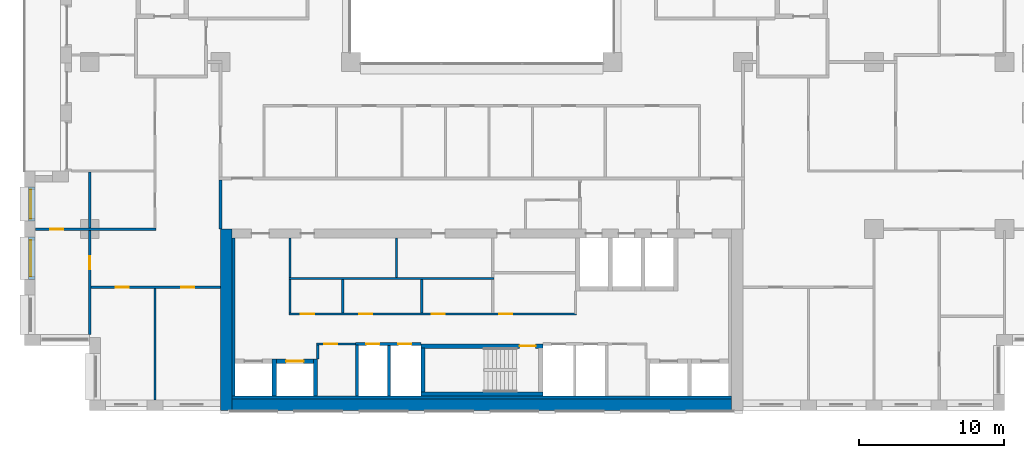
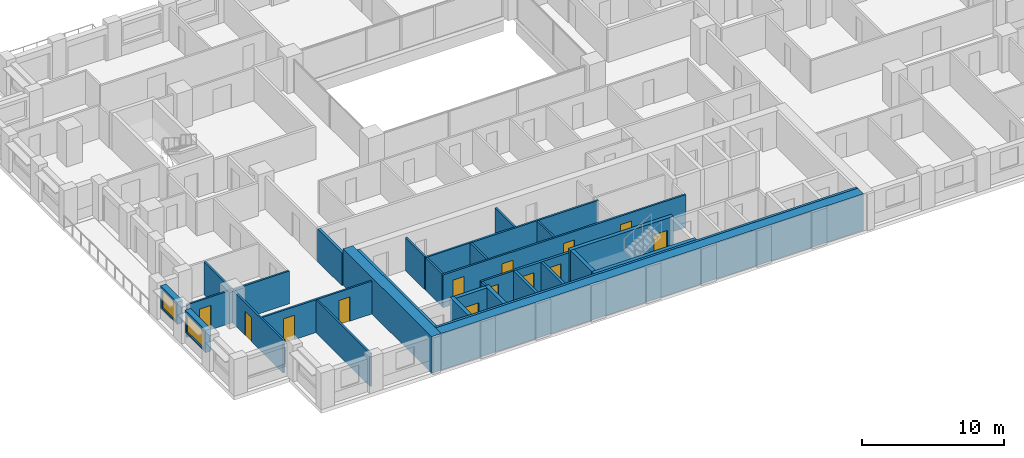
# One storey, part 8 of 16: 30 walls, 13 doors, 2 windows, 15 openings.
"""IFC4 building model written with IfcOpenShell, lengths in metres."""

from ifc_helpers import new_model, si_unit, direction, frame, frame_2d, origin, place, context, subcontext, project, spatial, rectangle, extrude, material, layer, layer_set, type_object, element, fill, save


model = new_model("IFC4")

# Units and contexts
model_context = context("Model", 3, precision=1e-05, world=origin(), true_north=direction((0.0, 1.0)))
body_context = subcontext(model_context, "Body", "Model", "MODEL_VIEW")
ifc_project = project(units=[si_unit("LENGTHUNIT", "METRE"), si_unit("AREAUNIT", "SQUARE_METRE"), si_unit("VOLUMEUNIT", "CUBIC_METRE"), si_unit("PLANEANGLEUNIT", "RADIAN"), si_unit("MASSUNIT", "GRAM", prefix="KILO")], contexts=[model_context])

# Site, building, storey
site_placement = place(None, origin())
site = spatial("IfcSite", under=ifc_project, at=site_placement, CompositionType="ELEMENT")
building_placement = place(site_placement, origin())
building = spatial("IfcBuilding", under=site, at=building_placement, Name="Brigalow Station Residences", CompositionType="ELEMENT")
storey_placement = place(building_placement, frame((0.0, 0.0, 105.60009765625)))
storey = spatial("IfcBuildingStorey", under=building, at=storey_placement, Name="L30", CompositionType="ELEMENT", Elevation=105.60009765625)

# Wall, opening, window
ifc_material_1 = material(Name="Clay brick masonry", Category="masonry")
ifc_layer_1 = layer(ifc_material_1, 0.449951171875)
ifc_layer_set_1 = layer_set([ifc_layer_1], Name="BRICK INFILL WALL 450")
wall_type_1 = type_object("IfcWallType", Name="BRICK INFILL WALL 450", PredefinedType="SOLIDWALL", material=ifc_layer_set_1)
wall_1_placement = place(storey_placement, frame((5.02490234375, 15.39990234375, 0.89990234375), z_axis=(0.0, 0.0, 1.0), x_axis=(0.0, -1.0, 0.0)))
wall_1 = element("IfcWall", 1, at=wall_1_placement, inside=storey, type_object=wall_type_1, Name="L30/ewall/W-L30-47", PredefinedType="SOLIDWALL", context=body_context, shape_type="SweptSolid", body=[
    extrude(rectangle(XDim=2.349853515625, YDim=0.449951171875, at=frame_2d((1.1748046875, 0.0))), origin(), (0.0, 0.0, 1.0), 1.929931640625),
])
opening_1_placement = place(wall_1_placement, frame((0.175048828125, 0.0, 0.14990234375)))
opening_1 = element("IfcOpeningElement", 2, at=opening_1_placement, cuts=wall_1, Name="Opening WT-7", PredefinedType="OPENING", context=body_context, shape_type="SweptSolid", body=[
    extrude(rectangle(XDim=2.0, YDim=1.5, at=frame_2d((1.0, 0.75))), frame((0.0, 0.23486328125, 0.0), z_axis=(0.0, -1.0, 0.0), x_axis=(1.0, 0.0, 0.0)), (0.0, 0.0, 1.0), 0.469970703125),
])
ifc_material_2 = material(Name="Anodised aluminium frame with double glazing", Category="aluminium")
window_type_1 = type_object("IfcWindowType", Name="WINDOW 2000x1500", PartitioningType="SINGLE_PANEL", PredefinedType="WINDOW", material=ifc_material_2)
window_1_placement = place(opening_1_placement, origin())
window_1 = element("IfcWindow", 3, at=window_1_placement, inside=storey, type_object=window_type_1, Name="L30/window/W-L30-47", OverallHeight=1.5, OverallWidth=2.0, PartitioningType="SINGLE_PANEL", PredefinedType="WINDOW", context=body_context, shape_type="SweptSolid", body=[
    extrude(rectangle(XDim=2.0, YDim=1.5, at=frame_2d((1.0, 0.75))), frame((0.0, -0.06494140625, 0.0), z_axis=(0.0, -1.0, 0.0), x_axis=(1.0, 0.0, 0.0)), (0.0, 0.0, 1.0), 0.06005859375),
])
fill(opening_1, window_1)

wall_2_placement = place(storey_placement, frame((5.02490234375, 11.949951171875, 0.89990234375), z_axis=(0.0, 0.0, 1.0), x_axis=(0.0, -1.0, 0.0)))
wall_2 = element("IfcWall", 4, at=wall_2_placement, inside=storey, type_object=wall_type_1, Name="L30/ewall/W-L30-48", PredefinedType="SOLIDWALL", context=body_context, shape_type="SweptSolid", body=[
    extrude(rectangle(XDim=2.89990234375, YDim=0.449951171875, at=frame_2d((1.449951171875, 0.0))), origin(), (0.0, 0.0, 1.0), 1.929931640625),
])
opening_2_placement = place(wall_2_placement, frame((0.199951171875, 0.0, 0.14990234375)))
opening_2 = element("IfcOpeningElement", 5, at=opening_2_placement, cuts=wall_2, Name="Opening WT-5", PredefinedType="OPENING", context=body_context, shape_type="SweptSolid", body=[
    extrude(rectangle(XDim=2.5, YDim=1.5, at=frame_2d((1.25, 0.75))), frame((0.0, 0.23486328125, 0.0), z_axis=(0.0, -1.0, 0.0), x_axis=(1.0, 0.0, 0.0)), (0.0, 0.0, 1.0), 0.469970703125),
])
ifc_material_3 = material(Name="Anodised aluminium frame with double glazing", Category="aluminium")
window_type_2 = type_object("IfcWindowType", Name="WINDOW 2500x1500", PartitioningType="SINGLE_PANEL", PredefinedType="WINDOW", material=ifc_material_3)
window_2_placement = place(opening_2_placement, origin())
window_2 = element("IfcWindow", 6, at=window_2_placement, inside=storey, type_object=window_type_2, Name="L30/window/W-L30-48", OverallHeight=1.5, OverallWidth=2.5, PartitioningType="SINGLE_PANEL", PredefinedType="WINDOW", context=body_context, shape_type="SweptSolid", body=[
    extrude(rectangle(XDim=2.5, YDim=1.5, at=frame_2d((1.25, 0.75))), frame((0.0, -0.06494140625, 0.0), z_axis=(0.0, -1.0, 0.0), x_axis=(1.0, 0.0, 0.0)), (0.0, 0.0, 1.0), 0.06005859375),
])
fill(opening_2, window_2)

# Walls
ifc_material_4 = material(Name="Concrete C65", Category="concrete")
ifc_layer_2 = layer(ifc_material_4, 0.199951171875)
ifc_layer_set_2 = layer_set([ifc_layer_2], Name="CORE SHEAR WALL 200 C65")
wall_type_2 = type_object("IfcWallType", Name="CORE SHEAR WALL 200 C65", PredefinedType="SHEAR", material=ifc_layer_set_2)
wall_3_placement = place(storey_placement, frame((18.89990234375, 1.0, 0.0), z_axis=(0.0, 0.0, 1.0), x_axis=(0.0, 1.0, 0.0)))
element("IfcWall", 7, at=wall_3_placement, inside=storey, type_object=wall_type_2, Name="CORE WALL LIN-W L30", PredefinedType="SHEAR", context=body_context, shape_type="SweptSolid", body=[
    extrude(rectangle(XDim=10.89990234375, YDim=0.199951171875, at=frame_2d((5.449951171875, 0.0))), origin(), (0.0, 0.0, 1.0), 3.14990234375),
])
wall_4_placement = place(storey_placement, frame((18.800048828125, 0.89990234375, 0.0), z_axis=(0.0, 0.0, 1.0), x_axis=(1.0, 0.0, 0.0)))
element("IfcWall", 8, at=wall_4_placement, inside=storey, type_object=wall_type_2, Name="CORE WALL LIN-S L30", PredefinedType="SHEAR", context=body_context, shape_type="SweptSolid", body=[
    extrude(rectangle(XDim=34.39990234375, YDim=0.199951171875, at=frame_2d((17.199951171875, 0.0))), origin(), (0.0, 0.0, 1.0), 3.14990234375),
])

# Wall, opening, door
ifc_material_5 = material(Name="Concrete C65", Category="concrete")
ifc_layer_3 = layer(ifc_material_5, 0.300048828125)
ifc_layer_set_3 = layer_set([ifc_layer_3], Name="CORE SHEAR WALL 300 C65")
wall_type_3 = type_object("IfcWallType", Name="CORE SHEAR WALL 300 C65", PredefinedType="SHEAR", material=ifc_layer_set_3)
wall_5_placement = place(storey_placement, frame((21.85009765625, 3.39990234375, 0.0), z_axis=(0.0, 0.0, 1.0), x_axis=(1.0, 0.0, 0.0)))
wall_5 = element("IfcWall", 9, at=wall_5_placement, inside=storey, type_object=wall_type_3, Name="CORE WALL SH-C2-N L30", PredefinedType="SHEAR", context=body_context, shape_type="SweptSolid", body=[
    extrude(rectangle(XDim=2.5498046875, YDim=0.300048828125, at=frame_2d((1.27490234375, 0.0))), origin(), (0.0, 0.0, 1.0), 3.14990234375),
])
opening_3_placement = place(wall_5_placement, frame((0.675048828125, 0.0, 0.0)))
opening_3 = element("IfcOpeningElement", 10, at=opening_3_placement, cuts=wall_5, Name="Opening LD-LB2", PredefinedType="OPENING", context=body_context, shape_type="SweptSolid", body=[
    extrude(rectangle(XDim=1.199951171875, YDim=2.10009765625, at=frame_2d((0.60009765625, 1.050048828125))), frame((0.0, 0.16015625, 0.0), z_axis=(0.0, -1.0, 0.0), x_axis=(1.0, 0.0, 0.0)), (0.0, 0.0, 1.0), 0.320068359375),
])
ifc_material_6 = material(Name="Stainless steel sliding door leaves", Category="steel")
door_type_1 = type_object("IfcDoorType", Name="LIFT LANDING DOOR 1200 x 2100", OperationType="DOUBLE_DOOR_SLIDING", PredefinedType="DOOR", material=ifc_material_6)
door_1_placement = place(opening_3_placement, origin())
door_1 = element("IfcDoor", 11, at=door_1_placement, inside=storey, type_object=door_type_1, Name="LANDING DOOR LB2", OperationType="DOUBLE_DOOR_SLIDING", OverallHeight=2.10009765625, OverallWidth=1.199951171875, PredefinedType="DOOR", context=body_context, shape_type="SweptSolid", body=[
    extrude(rectangle(XDim=1.199951171875, YDim=2.10009765625, at=frame_2d((0.60009765625, 1.050048828125))), frame((0.0, 0.02490234375, 0.0), z_axis=(0.0, -1.0, 0.0), x_axis=(1.0, 0.0, 0.0)), (0.0, 0.0, 1.0), 0.050048828125),
])
fill(opening_3, door_1)

# Walls
for number, where, z_axis, x_axis, name in (
    (12, (21.699951171875, 1.0, 0.0), (0.0, 0.0, 1.0), (0.0, 1.0, 0.0), "CORE WALL SH-C2-W L30"),
    (13, (24.550048828125, 1.0, 0.0), (0.0, 0.0, 1.0), (0.0, 1.0, 0.0), "CORE WALL SH-C2-E L30"),
):
    element("IfcWall", number, at=place(storey_placement, frame(where, z_axis=z_axis, x_axis=x_axis)), inside=storey, type_object=wall_type_3, Name=name, PredefinedType="SHEAR", context=body_context, shape_type="SweptSolid", body=[
        extrude(rectangle(XDim=2.550048828125, YDim=0.300048828125, at=frame_2d((1.27490234375, 0.0))), origin(), (0.0, 0.0, 1.0), 3.14990234375),
    ])
wall_6_placement = place(storey_placement, frame((31.800048828125, 1.14990234375, 0.0), z_axis=(0.0, 0.0, 1.0), x_axis=(1.0, 0.0, 0.0)))
element("IfcWall", 14, at=wall_6_placement, inside=storey, type_object=wall_type_3, Name="CORE WALL ST-S2-S L30", PredefinedType="SHEAR", context=body_context, shape_type="SweptSolid", body=[
    extrude(rectangle(XDim=8.39990234375, YDim=0.300048828125, at=frame_2d((4.199951171875, 0.0))), origin(), (0.0, 0.0, 1.0), 3.14990234375),
])

# Wall, opening, door
wall_7_placement = place(storey_placement, frame((31.800048828125, 4.449951171875, 0.0), z_axis=(0.0, 0.0, 1.0), x_axis=(1.0, 0.0, 0.0)))
wall_7 = element("IfcWall", 15, at=wall_7_placement, inside=storey, type_object=wall_type_3, Name="CORE WALL ST-S2-N L30", PredefinedType="SHEAR", context=body_context, shape_type="SweptSolid", body=[
    extrude(rectangle(XDim=8.39990234375, YDim=0.300048828125, at=frame_2d((4.199951171875, 0.0))), origin(), (0.0, 0.0, 1.0), 3.14990234375),
])
opening_4_placement = place(wall_7_placement, frame((6.800048828125, 0.0, 0.0)))
opening_4 = element("IfcOpeningElement", 16, at=opening_4_placement, cuts=wall_7, Name="Opening D-5001", PredefinedType="OPENING", context=body_context, shape_type="SweptSolid", body=[
    extrude(rectangle(XDim=1.10009765625, YDim=2.10009765625, at=frame_2d((0.550048828125, 1.050048828125))), frame((0.0, 0.16015625, 0.0), z_axis=(0.0, -1.0, 0.0), x_axis=(1.0, 0.0, 0.0)), (0.0, 0.0, 1.0), 0.320068359375),
])
ifc_material_7 = material(Name="Steel fire door leaf in steel frame", Category="steel")
door_type_2 = type_object("IfcDoorType", Name="STAIR DOOR 1100 x 2100 FD60S", OperationType="SINGLE_SWING_LEFT", PredefinedType="DOOR", material=ifc_material_7)
door_2_placement = place(opening_4_placement, frame((1.10009765625, 0.0, 0.0), z_axis=(0.0, 0.0, 1.0), x_axis=(-1.0, 0.0, 0.0)))
door_2 = element("IfcDoor", 17, at=door_2_placement, inside=storey, type_object=door_type_2, Name="D-5001", OperationType="SINGLE_SWING_LEFT", OverallHeight=2.10009765625, OverallWidth=1.10009765625, PredefinedType="DOOR", context=body_context, shape_type="SweptSolid", body=[
    extrude(rectangle(XDim=1.10009765625, YDim=2.10009765625, at=frame_2d((0.550048828125, 1.050048828125))), frame((0.0, 0.02490234375, 0.0), z_axis=(0.0, -1.0, 0.0), x_axis=(1.0, 0.0, 0.0)), (0.0, 0.0, 1.0), 0.050048828125),
])
fill(opening_4, door_2)

# Walls
wall_8_placement = place(storey_placement, frame((31.949951171875, 1.300048828125, 0.0), z_axis=(0.0, 0.0, 1.0), x_axis=(0.0, 1.0, 0.0)))
element("IfcWall", 18, at=wall_8_placement, inside=storey, type_object=wall_type_3, Name="CORE WALL ST-S2-W L30", PredefinedType="SHEAR", context=body_context, shape_type="SweptSolid", body=[
    extrude(rectangle(XDim=3.0, YDim=0.300048828125, at=frame_2d((1.5, 0.0))), origin(), (0.0, 0.0, 1.0), 3.14990234375),
])
ifc_material_8 = material(Name="Concrete C65", Category="concrete")
ifc_layer_4 = layer(ifc_material_8, 0.800048828125)
ifc_layer_set_4 = layer_set([ifc_layer_4], Name="CORE SHEAR WALL 800 C65")
wall_type_4 = type_object("IfcWallType", Name="CORE SHEAR WALL 800 C65", PredefinedType="SHEAR", material=ifc_layer_set_4)
wall_9_placement = place(storey_placement, frame((18.39990234375, 0.0, 0.0), z_axis=(0.0, 0.0, 1.0), x_axis=(0.0, 1.0, 0.0)))
element("IfcWall", 19, at=wall_9_placement, inside=storey, type_object=wall_type_4, Name="CORE WALL OUT-W L30", PredefinedType="SHEAR", context=body_context, shape_type="SweptSolid", body=[
    extrude(rectangle(XDim=12.5, YDim=0.800048828125, at=frame_2d((6.25, 0.0))), origin(), (0.0, 0.0, 1.0), 3.14990234375),
])
wall_10_placement = place(storey_placement, frame((18.800048828125, 0.39990234375, 0.0), z_axis=(0.0, 0.0, 1.0), x_axis=(1.0, 0.0, 0.0)))
element("IfcWall", 20, at=wall_10_placement, inside=storey, type_object=wall_type_4, Name="CORE WALL OUT-S L30", PredefinedType="SHEAR", context=body_context, shape_type="SweptSolid", body=[
    extrude(rectangle(XDim=34.39990234375, YDim=0.800048828125, at=frame_2d((17.199951171875, 0.0))), origin(), (0.0, 0.0, 1.0), 3.14990234375),
])

# Wall, openings, doors
ifc_material_9 = material(Name="Concrete blockwork", Category="masonry")
ifc_layer_5 = layer(ifc_material_9, 0.199951171875)
ifc_layer_set_5 = layer_set([ifc_layer_5], Name="FIRE RATED CORE PARTITION 200")
wall_type_5 = type_object("IfcWallType", Name="FIRE RATED CORE PARTITION 200", PredefinedType="PARTITIONING", material=ifc_layer_set_5)
wall_11_placement = place(storey_placement, frame((27.300048828125, 4.60009765625, 0.0), z_axis=(0.0, 0.0, 1.0), x_axis=(1.0, 0.0, 0.0)))
wall_11 = element("IfcWall", 21, at=wall_11_placement, inside=storey, type_object=wall_type_5, Name="PW-5017", PredefinedType="PARTITIONING", context=body_context, shape_type="SweptSolid", body=[
    extrude(rectangle(XDim=4.5, YDim=0.199951171875, at=frame_2d((2.25, 0.0))), origin(), (0.0, 0.0, 1.0), 2.829833984375),
])
opening_5_placement = place(wall_11_placement, frame((0.75, 0.0, 0.0)))
opening_5 = element("IfcOpeningElement", 22, at=opening_5_placement, cuts=wall_11, Name="Opening D-5007", PredefinedType="OPENING", context=body_context, shape_type="SweptSolid", body=[
    extrude(rectangle(XDim=0.89990234375, YDim=2.10009765625, at=frame_2d((0.449951171875, 1.050048828125))), frame((0.0, 0.10986328125, 0.0), z_axis=(0.0, -1.0, 0.0), x_axis=(1.0, 0.0, 0.0)), (0.0, 0.0, 1.0), 0.219970703125),
])
opening_6_placement = place(wall_11_placement, frame((2.949951171875, 0.0, 0.0)))
opening_6 = element("IfcOpeningElement", 23, at=opening_6_placement, cuts=wall_11, Name="Opening D-5008", PredefinedType="OPENING", context=body_context, shape_type="SweptSolid", body=[
    extrude(rectangle(XDim=0.89990234375, YDim=2.10009765625, at=frame_2d((0.449951171875, 1.050048828125))), frame((0.0, 0.10986328125, 0.0), z_axis=(0.0, -1.0, 0.0), x_axis=(1.0, 0.0, 0.0)), (0.0, 0.0, 1.0), 0.219970703125),
])
ifc_material_10 = material(Name="Steel fire door leaf in steel frame", Category="steel")
door_type_3 = type_object("IfcDoorType", Name="RISER ACCESS DOOR 900 x 2100 FD120", OperationType="SINGLE_SWING_LEFT", PredefinedType="DOOR", material=ifc_material_10)
door_3_placement = place(opening_5_placement, frame((0.89990234375, 0.0, 0.0), z_axis=(0.0, 0.0, 1.0), x_axis=(-1.0, 0.0, 0.0)))
door_3 = element("IfcDoor", 24, at=door_3_placement, inside=storey, type_object=door_type_3, Name="D-5007", OperationType="SINGLE_SWING_RIGHT", OverallHeight=2.10009765625, OverallWidth=0.89990234375, PredefinedType="DOOR", context=body_context, shape_type="SweptSolid", body=[
    extrude(rectangle(XDim=0.89990234375, YDim=2.10009765625, at=frame_2d((0.449951171875, 1.050048828125))), frame((0.0, 0.02490234375, 0.0), z_axis=(0.0, -1.0, 0.0), x_axis=(1.0, 0.0, 0.0)), (0.0, 0.0, 1.0), 0.050048828125),
])
fill(opening_5, door_3)
door_4_placement = place(opening_6_placement, frame((0.89990234375, 0.0, 0.0), z_axis=(0.0, 0.0, 1.0), x_axis=(-1.0, 0.0, 0.0)))
door_4 = element("IfcDoor", 25, at=door_4_placement, inside=storey, type_object=door_type_3, Name="D-5008", OperationType="SINGLE_SWING_RIGHT", OverallHeight=2.10009765625, OverallWidth=0.89990234375, PredefinedType="DOOR", context=body_context, shape_type="SweptSolid", body=[
    extrude(rectangle(XDim=0.89990234375, YDim=2.10009765625, at=frame_2d((0.449951171875, 1.050048828125))), frame((0.0, 0.02490234375, 0.0), z_axis=(0.0, -1.0, 0.0), x_axis=(1.0, 0.0, 0.0)), (0.0, 0.0, 1.0), 0.050048828125),
])
fill(opening_6, door_4)

# Walls
wall_12_placement = place(storey_placement, frame((27.39990234375, 1.0, 0.0), z_axis=(0.0, 0.0, 1.0), x_axis=(0.0, 1.0, 0.0)))
element("IfcWall", 26, at=wall_12_placement, inside=storey, type_object=wall_type_5, Name="PW-5027", PredefinedType="PARTITIONING", context=body_context, shape_type="SweptSolid", body=[
    extrude(rectangle(XDim=3.52490234375, YDim=0.199951171875, at=frame_2d((1.762451171875, 0.0))), origin(), (0.0, 0.0, 1.0), 2.829833984375),
])
wall_13_placement = place(storey_placement, frame((29.60009765625, 1.0, 0.0), z_axis=(0.0, 0.0, 1.0), x_axis=(0.0, 1.0, 0.0)))
element("IfcWall", 27, at=wall_13_placement, inside=storey, type_object=wall_type_5, Name="PW-5006", PredefinedType="PARTITIONING", context=body_context, shape_type="SweptSolid", body=[
    extrude(rectangle(XDim=3.5, YDim=0.199951171875, at=frame_2d((1.75, 0.0))), origin(), (0.0, 0.0, 1.0), 2.829833984375),
])
wall_14_placement = place(storey_placement, frame((18.0, 12.5, 0.0), z_axis=(0.0, 0.0, 1.0), x_axis=(0.0, 1.0, 0.0)))
element("IfcWall", 28, at=wall_14_placement, inside=storey, type_object=wall_type_5, Name="PW-5013", PredefinedType="PARTITIONING", context=body_context, shape_type="SweptSolid", body=[
    extrude(rectangle(XDim=3.39990234375, YDim=0.199951171875, at=frame_2d((1.699951171875, 0.0))), origin(), (0.0, 0.0, 1.0), 2.829833984375),
])

# Wall, opening, door
ifc_material_11 = material(Name="Plasterboard on steel stud partition", Category="steel")
ifc_layer_6 = layer(ifc_material_11, 0.14990234375)
ifc_layer_set_6 = layer_set([ifc_layer_6], Name="FLAT PARTITION 150")
wall_type_6 = type_object("IfcWallType", Name="FLAT PARTITION 150", PredefinedType="PARTITIONING", material=ifc_layer_set_6)
wall_15_placement = place(storey_placement, frame((5.25, 12.5, 0.0), z_axis=(0.0, 0.0, 1.0), x_axis=(1.0, 0.0, 0.0)))
wall_15 = element("IfcWall", 29, at=wall_15_placement, inside=storey, type_object=wall_type_6, Name="PW-2C11", PredefinedType="PARTITIONING", context=body_context, shape_type="SweptSolid", body=[
    extrude(rectangle(XDim=8.324951171875, YDim=0.14990234375, at=frame_2d((4.16259765625, 0.0))), origin(), (0.0, 0.0, 1.0), 2.829833984375),
])
opening_7_placement = place(wall_15_placement, frame((1.02490234375, 0.0, 0.0)))
opening_7 = element("IfcOpeningElement", 30, at=opening_7_placement, cuts=wall_15, Name="Opening D-2C05", PredefinedType="OPENING", context=body_context, shape_type="SweptSolid", body=[
    extrude(rectangle(XDim=0.89990234375, YDim=2.10009765625, at=frame_2d((0.449951171875, 1.050048828125))), frame((0.0, 0.0849609375, 0.0), z_axis=(0.0, -1.0, 0.0), x_axis=(1.0, 0.0, 0.0)), (0.0, 0.0, 1.0), 0.169921875),
])
ifc_material_12 = material(Name="Solid-core timber door leaf", Category="wood")
door_type_4 = type_object("IfcDoorType", Name="INTERNAL DOOR 900 x 2100", OperationType="SINGLE_SWING_LEFT", PredefinedType="DOOR", material=ifc_material_12)
door_5_placement = place(opening_7_placement, origin())
door_5 = element("IfcDoor", 31, at=door_5_placement, inside=storey, type_object=door_type_4, Name="D-2C05", OperationType="SINGLE_SWING_LEFT", OverallHeight=2.10009765625, OverallWidth=0.89990234375, PredefinedType="DOOR", context=body_context, shape_type="SweptSolid", body=[
    extrude(rectangle(XDim=0.89990234375, YDim=2.10009765625, at=frame_2d((0.449951171875, 1.050048828125))), frame((0.0, 0.02490234375, 0.0), z_axis=(0.0, -1.0, 0.0), x_axis=(1.0, 0.0, 0.0)), (0.0, 0.0, 1.0), 0.050048828125),
])
fill(opening_7, door_5)

# Wall, openings, doors
wall_16_placement = place(storey_placement, frame((9.074951171875, 8.5, 0.0), z_axis=(0.0, 0.0, 1.0), x_axis=(1.0, 0.0, 0.0)))
wall_16 = element("IfcWall", 32, at=wall_16_placement, inside=storey, type_object=wall_type_6, Name="PW-2C15", PredefinedType="PARTITIONING", context=body_context, shape_type="SweptSolid", body=[
    extrude(rectangle(XDim=8.925048828125, YDim=0.14990234375, at=frame_2d((4.46240234375, 0.0))), origin(), (0.0, 0.0, 1.0), 2.829833984375),
])
opening_8_placement = place(wall_16_placement, frame((1.72509765625, 0.0, 0.0)))
opening_8 = element("IfcOpeningElement", 33, at=opening_8_placement, cuts=wall_16, Name="Opening D-2C06", PredefinedType="OPENING", context=body_context, shape_type="SweptSolid", body=[
    extrude(rectangle(XDim=0.89990234375, YDim=2.10009765625, at=frame_2d((0.449951171875, 1.050048828125))), frame((0.0, 0.0849609375, 0.0), z_axis=(0.0, -1.0, 0.0), x_axis=(1.0, 0.0, 0.0)), (0.0, 0.0, 1.0), 0.169921875),
])
opening_9_placement = place(wall_16_placement, frame((6.22509765625, 0.0, 0.0)))
opening_9 = element("IfcOpeningElement", 34, at=opening_9_placement, cuts=wall_16, Name="Opening D-2C07", PredefinedType="OPENING", context=body_context, shape_type="SweptSolid", body=[
    extrude(rectangle(XDim=0.89990234375, YDim=2.10009765625, at=frame_2d((0.449951171875, 1.050048828125))), frame((0.0, 0.0849609375, 0.0), z_axis=(0.0, -1.0, 0.0), x_axis=(1.0, 0.0, 0.0)), (0.0, 0.0, 1.0), 0.169921875),
])
door_6_placement = place(opening_8_placement, frame((0.89990234375, 0.0, 0.0), z_axis=(0.0, 0.0, 1.0), x_axis=(-1.0, 0.0, 0.0)))
door_6 = element("IfcDoor", 35, at=door_6_placement, inside=storey, type_object=door_type_4, Name="D-2C06", OperationType="SINGLE_SWING_LEFT", OverallHeight=2.10009765625, OverallWidth=0.89990234375, PredefinedType="DOOR", context=body_context, shape_type="SweptSolid", body=[
    extrude(rectangle(XDim=0.89990234375, YDim=2.10009765625, at=frame_2d((0.449951171875, 1.050048828125))), frame((0.0, 0.02490234375, 0.0), z_axis=(0.0, -1.0, 0.0), x_axis=(1.0, 0.0, 0.0)), (0.0, 0.0, 1.0), 0.050048828125),
])
fill(opening_8, door_6)
door_7_placement = place(opening_9_placement, frame((0.89990234375, 0.0, 0.0), z_axis=(0.0, 0.0, 1.0), x_axis=(-1.0, 0.0, 0.0)))
door_7 = element("IfcDoor", 36, at=door_7_placement, inside=storey, type_object=door_type_4, Name="D-2C07", OperationType="SINGLE_SWING_RIGHT", OverallHeight=2.10009765625, OverallWidth=0.89990234375, PredefinedType="DOOR", context=body_context, shape_type="SweptSolid", body=[
    extrude(rectangle(XDim=0.89990234375, YDim=2.10009765625, at=frame_2d((0.449951171875, 1.050048828125))), frame((0.0, 0.02490234375, 0.0), z_axis=(0.0, -1.0, 0.0), x_axis=(1.0, 0.0, 0.0)), (0.0, 0.0, 1.0), 0.050048828125),
])
fill(opening_9, door_7)

# Wall, opening, door
wall_17_placement = place(storey_placement, frame((9.0, 5.25, 0.0), z_axis=(0.0, 0.0, 1.0), x_axis=(0.0, 1.0, 0.0)))
wall_17 = element("IfcWall", 37, at=wall_17_placement, inside=storey, type_object=wall_type_6, Name="PW-2C44", PredefinedType="PARTITIONING", context=body_context, shape_type="SweptSolid", body=[
    extrude(rectangle(XDim=7.175048828125, YDim=0.14990234375, at=frame_2d((3.58740234375, 0.0))), origin(), (0.0, 0.0, 1.0), 2.829833984375),
])
opening_10_placement = place(wall_17_placement, frame((4.47509765625, 0.0, 0.0)))
opening_10 = element("IfcOpeningElement", 38, at=opening_10_placement, cuts=wall_17, Name="Opening D-2C04", PredefinedType="OPENING", context=body_context, shape_type="SweptSolid", body=[
    extrude(rectangle(XDim=0.89990234375, YDim=2.10009765625, at=frame_2d((0.449951171875, 1.050048828125))), frame((0.0, 0.0849609375, 0.0), z_axis=(0.0, -1.0, 0.0), x_axis=(1.0, 0.0, 0.0)), (0.0, 0.0, 1.0), 0.169921875),
])
door_8_placement = place(opening_10_placement, origin())
door_8 = element("IfcDoor", 39, at=door_8_placement, inside=storey, type_object=door_type_4, Name="D-2C04", OperationType="SINGLE_SWING_RIGHT", OverallHeight=2.10009765625, OverallWidth=0.89990234375, PredefinedType="DOOR", context=body_context, shape_type="SweptSolid", body=[
    extrude(rectangle(XDim=0.89990234375, YDim=2.10009765625, at=frame_2d((0.449951171875, 1.050048828125))), frame((0.0, 0.02490234375, 0.0), z_axis=(0.0, -1.0, 0.0), x_axis=(1.0, 0.0, 0.0)), (0.0, 0.0, 1.0), 0.050048828125),
])
fill(opening_10, door_8)

# Walls
wall_18_placement = place(storey_placement, frame((9.0, 12.574951171875, 0.0), z_axis=(0.0, 0.0, 1.0), x_axis=(0.0, 1.0, 0.0)))
element("IfcWall", 40, at=wall_18_placement, inside=storey, type_object=wall_type_6, Name="PW-2C45", PredefinedType="PARTITIONING", context=body_context, shape_type="SweptSolid", body=[
    extrude(rectangle(XDim=3.85009765625, YDim=0.14990234375, at=frame_2d((1.925048828125, 0.0))), origin(), (0.0, 0.0, 1.0), 2.829833984375),
])
wall_19_placement = place(storey_placement, frame((13.5, 0.75, 0.0), z_axis=(0.0, 0.0, 1.0), x_axis=(0.0, 1.0, 0.0)))
element("IfcWall", 41, at=wall_19_placement, inside=storey, type_object=wall_type_6, Name="PW-2C46", PredefinedType="PARTITIONING", context=body_context, shape_type="SweptSolid", body=[
    extrude(rectangle(XDim=7.675048828125, YDim=0.14990234375, at=frame_2d((3.83740234375, 0.0))), origin(), (0.0, 0.0, 1.0), 2.829833984375),
])

# Wall, opening, door
ifc_material_13 = material(Name="Plasterboard on steel studs", Category="steel")
ifc_layer_7 = layer(ifc_material_13, 0.14990234375)
ifc_layer_set_7 = layer_set([ifc_layer_7], Name="SERVICE ROOM PARTITION 150")
wall_type_7 = type_object("IfcWallType", Name="SERVICE ROOM PARTITION 150", PredefinedType="PARTITIONING", material=ifc_layer_set_7)
wall_20_placement = place(storey_placement, frame((24.625, 4.60009765625, 0.0), z_axis=(0.0, 0.0, 1.0), x_axis=(1.0, 0.0, 0.0)))
wall_20 = element("IfcWall", 42, at=wall_20_placement, inside=storey, type_object=wall_type_7, Name="PW-5155", PredefinedType="PARTITIONING", context=body_context, shape_type="SweptSolid", body=[
    extrude(rectangle(XDim=2.675048828125, YDim=0.14990234375, at=frame_2d((1.33740234375, 0.0))), origin(), (0.0, 0.0, 1.0), 2.829833984375),
])
opening_11_placement = place(wall_20_placement, frame((0.52490234375, 0.0, 0.0)))
opening_11 = element("IfcOpeningElement", 43, at=opening_11_placement, cuts=wall_20, Name="Opening D-5087", PredefinedType="OPENING", context=body_context, shape_type="SweptSolid", body=[
    extrude(rectangle(XDim=0.89990234375, YDim=2.10009765625, at=frame_2d((0.449951171875, 1.050048828125))), frame((0.0, 0.0849609375, 0.0), z_axis=(0.0, -1.0, 0.0), x_axis=(1.0, 0.0, 0.0)), (0.0, 0.0, 1.0), 0.169921875),
])
ifc_material_14 = material(Name="Steel door leaf in steel frame", Category="steel")
door_type_5 = type_object("IfcDoorType", Name="SERVICE ROOM DOOR 900 x 2100 FD60", OperationType="SINGLE_SWING_LEFT", PredefinedType="DOOR", material=ifc_material_14)
door_9_placement = place(opening_11_placement, frame((0.89990234375, 0.0, 0.0), z_axis=(0.0, 0.0, 1.0), x_axis=(-1.0, 0.0, 0.0)))
door_9 = element("IfcDoor", 44, at=door_9_placement, inside=storey, type_object=door_type_5, Name="D-5087", OperationType="SINGLE_SWING_RIGHT", OverallHeight=2.10009765625, OverallWidth=0.89990234375, PredefinedType="DOOR", context=body_context, shape_type="SweptSolid", body=[
    extrude(rectangle(XDim=0.89990234375, YDim=2.10009765625, at=frame_2d((0.449951171875, 1.050048828125))), frame((0.0, 0.02490234375, 0.0), z_axis=(0.0, -1.0, 0.0), x_axis=(1.0, 0.0, 0.0)), (0.0, 0.0, 1.0), 0.050048828125),
])
fill(opening_11, door_9)

# Wall, openings, doors
wall_21_placement = place(storey_placement, frame((22.72509765625, 6.64990234375, 0.0), z_axis=(0.0, 0.0, 1.0), x_axis=(1.0, 0.0, 0.0)))
wall_21 = element("IfcWall", 45, at=wall_21_placement, inside=storey, type_object=wall_type_7, Name="PW-5195", PredefinedType="PARTITIONING", context=body_context, shape_type="SweptSolid", body=[
    extrude(rectangle(XDim=19.7998046875, YDim=0.14990234375, at=frame_2d((9.89990234375, 0.0))), origin(), (0.0, 0.0, 1.0), 2.829833984375),
])
opening_12_placement = place(wall_21_placement, frame((0.824951171875, 0.0, 0.0)))
opening_12 = element("IfcOpeningElement", 46, at=opening_12_placement, cuts=wall_21, Name="Opening D-5110", PredefinedType="OPENING", context=body_context, shape_type="SweptSolid", body=[
    extrude(rectangle(XDim=0.89990234375, YDim=2.10009765625, at=frame_2d((0.449951171875, 1.050048828125))), frame((0.0, 0.0849609375, 0.0), z_axis=(0.0, -1.0, 0.0), x_axis=(1.0, 0.0, 0.0)), (0.0, 0.0, 1.0), 0.169921875),
])
opening_13_placement = place(wall_21_placement, frame((4.824951171875, 0.0, 0.0)))
opening_13 = element("IfcOpeningElement", 47, at=opening_13_placement, cuts=wall_21, Name="Opening D-5116", PredefinedType="OPENING", context=body_context, shape_type="SweptSolid", body=[
    extrude(rectangle(XDim=0.89990234375, YDim=2.10009765625, at=frame_2d((0.449951171875, 1.050048828125))), frame((0.0, 0.0849609375, 0.0), z_axis=(0.0, -1.0, 0.0), x_axis=(1.0, 0.0, 0.0)), (0.0, 0.0, 1.0), 0.169921875),
])
opening_14_placement = place(wall_21_placement, frame((9.824951171875, 0.0, 0.0)))
opening_14 = element("IfcOpeningElement", 48, at=opening_14_placement, cuts=wall_21, Name="Opening D-5117", PredefinedType="OPENING", context=body_context, shape_type="SweptSolid", body=[
    extrude(rectangle(XDim=0.89990234375, YDim=2.10009765625, at=frame_2d((0.449951171875, 1.050048828125))), frame((0.0, 0.0849609375, 0.0), z_axis=(0.0, -1.0, 0.0), x_axis=(1.0, 0.0, 0.0)), (0.0, 0.0, 1.0), 0.169921875),
])
opening_15_placement = place(wall_21_placement, frame((14.47509765625, 0.0, 0.0)))
opening_15 = element("IfcOpeningElement", 49, at=opening_15_placement, cuts=wall_21, Name="Opening D-5114", PredefinedType="OPENING", context=body_context, shape_type="SweptSolid", body=[
    extrude(rectangle(XDim=0.89990234375, YDim=2.10009765625, at=frame_2d((0.449951171875, 1.050048828125))), frame((0.0, 0.0849609375, 0.0), z_axis=(0.0, -1.0, 0.0), x_axis=(1.0, 0.0, 0.0)), (0.0, 0.0, 1.0), 0.169921875),
])
door_10_placement = place(opening_12_placement, origin())
door_10 = element("IfcDoor", 50, at=door_10_placement, inside=storey, type_object=door_type_5, Name="D-5110", OperationType="SINGLE_SWING_LEFT", OverallHeight=2.10009765625, OverallWidth=0.89990234375, PredefinedType="DOOR", context=body_context, shape_type="SweptSolid", body=[
    extrude(rectangle(XDim=0.89990234375, YDim=2.10009765625, at=frame_2d((0.449951171875, 1.050048828125))), frame((0.0, 0.02490234375, 0.0), z_axis=(0.0, -1.0, 0.0), x_axis=(1.0, 0.0, 0.0)), (0.0, 0.0, 1.0), 0.050048828125),
])
fill(opening_12, door_10)
door_11_placement = place(opening_13_placement, origin())
door_11 = element("IfcDoor", 51, at=door_11_placement, inside=storey, type_object=door_type_5, Name="D-5116", OperationType="SINGLE_SWING_LEFT", OverallHeight=2.10009765625, OverallWidth=0.89990234375, PredefinedType="DOOR", context=body_context, shape_type="SweptSolid", body=[
    extrude(rectangle(XDim=0.89990234375, YDim=2.10009765625, at=frame_2d((0.449951171875, 1.050048828125))), frame((0.0, 0.02490234375, 0.0), z_axis=(0.0, -1.0, 0.0), x_axis=(1.0, 0.0, 0.0)), (0.0, 0.0, 1.0), 0.050048828125),
])
fill(opening_13, door_11)
door_12_placement = place(opening_14_placement, origin())
door_12 = element("IfcDoor", 52, at=door_12_placement, inside=storey, type_object=door_type_5, Name="D-5117", OperationType="SINGLE_SWING_LEFT", OverallHeight=2.10009765625, OverallWidth=0.89990234375, PredefinedType="DOOR", context=body_context, shape_type="SweptSolid", body=[
    extrude(rectangle(XDim=0.89990234375, YDim=2.10009765625, at=frame_2d((0.449951171875, 1.050048828125))), frame((0.0, 0.02490234375, 0.0), z_axis=(0.0, -1.0, 0.0), x_axis=(1.0, 0.0, 0.0)), (0.0, 0.0, 1.0), 0.050048828125),
])
fill(opening_14, door_12)
door_13_placement = place(opening_15_placement, origin())
door_13 = element("IfcDoor", 53, at=door_13_placement, inside=storey, type_object=door_type_5, Name="D-5114", OperationType="SINGLE_SWING_LEFT", OverallHeight=2.10009765625, OverallWidth=0.89990234375, PredefinedType="DOOR", context=body_context, shape_type="SweptSolid", body=[
    extrude(rectangle(XDim=0.89990234375, YDim=2.10009765625, at=frame_2d((0.449951171875, 1.050048828125))), frame((0.0, 0.02490234375, 0.0), z_axis=(0.0, -1.0, 0.0), x_axis=(1.0, 0.0, 0.0)), (0.0, 0.0, 1.0), 0.050048828125),
])
fill(opening_15, door_13)

# Walls
wall_22_placement = place(storey_placement, frame((22.72509765625, 9.110107421875, 0.0), z_axis=(0.0, 0.0, 1.0), x_axis=(1.0, 0.0, 0.0)))
element("IfcWall", 54, at=wall_22_placement, inside=storey, type_object=wall_type_7, Name="PW-5214", PredefinedType="PARTITIONING", context=body_context, shape_type="SweptSolid", body=[
    extrude(rectangle(XDim=14.099853515625, YDim=0.14990234375, at=frame_2d((7.0498046875, 0.0))), origin(), (0.0, 0.0, 1.0), 2.829833984375),
])
wall_23_placement = place(storey_placement, frame((24.699951171875, 3.550048828125, 0.0), z_axis=(0.0, 0.0, 1.0), x_axis=(0.0, 1.0, 0.0)))
element("IfcWall", 55, at=wall_23_placement, inside=storey, type_object=wall_type_7, Name="PW-5157", PredefinedType="PARTITIONING", context=body_context, shape_type="SweptSolid", body=[
    extrude(rectangle(XDim=0.974853515625, YDim=0.14990234375, at=frame_2d((0.4873046875, 0.0))), origin(), (0.0, 0.0, 1.0), 2.829833984375),
])
for number, where, z_axis, x_axis, name in (
    (56, (22.800048828125, 6.72509765625, 0.0), (0.0, 0.0, 1.0), (0.0, 1.0, 0.0), "PW-5216"),
    (57, (26.429931640625, 6.72509765625, 0.0), (0.0, 0.0, 1.0), (0.0, 1.0, 0.0), "PW-5217"),
    (58, (31.8701171875, 6.72509765625, 0.0), (0.0, 0.0, 1.0), (0.0, 1.0, 0.0), "PW-5218"),
):
    element("IfcWall", number, at=place(storey_placement, frame(where, z_axis=z_axis, x_axis=x_axis)), inside=storey, type_object=wall_type_7, Name=name, PredefinedType="PARTITIONING", context=body_context, shape_type="SweptSolid", body=[
        extrude(rectangle(XDim=2.309814453125, YDim=0.14990234375, at=frame_2d((1.15478515625, 0.0))), origin(), (0.0, 0.0, 1.0), 2.829833984375),
    ])
for number, where, z_axis, x_axis, name in (
    (59, (22.800048828125, 9.18505859375, 0.0), (0.0, 0.0, 1.0), (0.0, 1.0, 0.0), "PW-5220"),
    (60, (30.1201171875, 9.18505859375, 0.0), (0.0, 0.0, 1.0), (0.0, 1.0, 0.0), "PW-5221"),
):
    element("IfcWall", number, at=place(storey_placement, frame(where, z_axis=z_axis, x_axis=x_axis)), inside=storey, type_object=wall_type_7, Name=name, PredefinedType="PARTITIONING", context=body_context, shape_type="SweptSolid", body=[
        extrude(rectangle(XDim=2.71484375, YDim=0.14990234375, at=frame_2d((1.357421875, 0.0))), origin(), (0.0, 0.0, 1.0), 2.829833984375),
    ])

save(model, "model.ifc")
